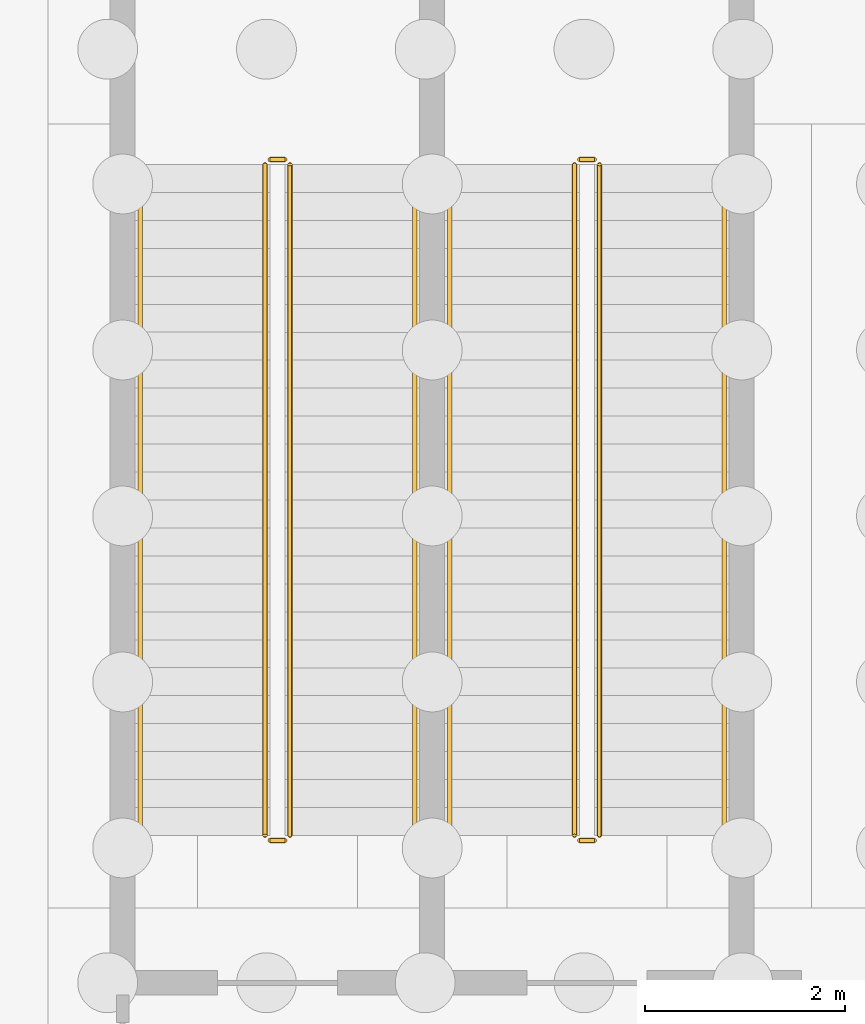
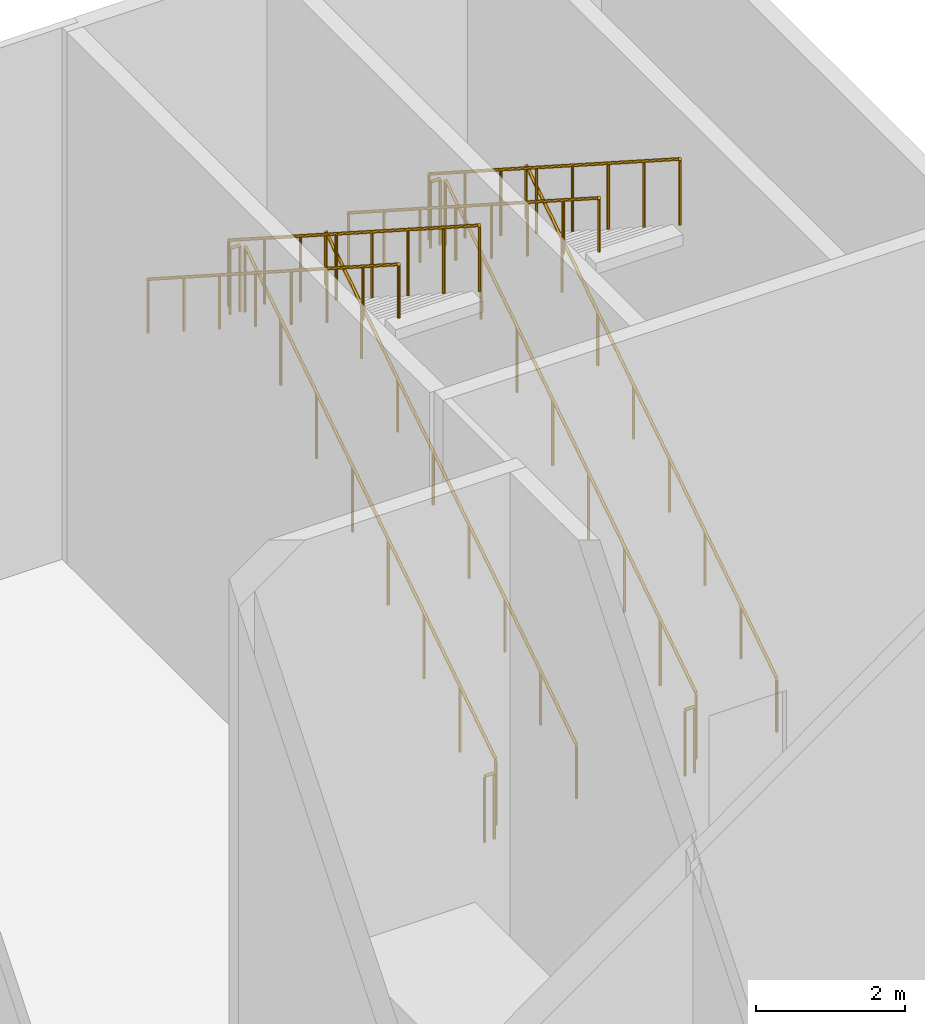
# One storey, part 66 of 72: 12 railings.
"""IFC4 building model written with IfcOpenShell, lengths in metres."""

from ifc_helpers import new_model, si_unit, direction, frame, origin, origin_2d, place, context, subcontext, project, spatial, circle, extrude, material, type_object, element, save


model = new_model("IFC4")

# Units and contexts
model_context = context("Model", 3, precision=1e-05, world=origin(), true_north=direction((0.0, 1.0)))
body_context = subcontext(model_context, "Body", "Model", "MODEL_VIEW")
ifc_project = project(units=[si_unit("LENGTHUNIT", "METRE"), si_unit("AREAUNIT", "SQUARE_METRE"), si_unit("VOLUMEUNIT", "CUBIC_METRE"), si_unit("PLANEANGLEUNIT", "RADIAN"), si_unit("MASSUNIT", "GRAM", prefix="KILO")], contexts=[model_context])

# Site, building, storey
site_placement = place(None, origin())
site = spatial("IfcSite", under=ifc_project, at=site_placement, CompositionType="ELEMENT")
building_placement = place(site_placement, origin())
building = spatial("IfcBuilding", under=site, at=building_placement, Name="Candeia Pilgrim Tower and Theatre", CompositionType="ELEMENT")
storey_placement = place(building_placement, origin())
storey = spatial("IfcBuildingStorey", under=building, at=storey_placement, Name="L00", CompositionType="ELEMENT", Elevation=0.0)

# Railings
ifc_material = material(Name="Steel S355", Category="steel")
railing_type_1 = type_object("IfcRailingType", Name="Guard 1100 steel balustrade", PredefinedType="GUARDRAIL", material=ifc_material)
railing_1_placement = place(storey_placement, frame((236.47509765625, 107.77490234375, 0.179931640625)))
element("IfcRailing", 1, at=railing_1_placement, inside=storey, type_object=railing_type_1, Name="L00 TS3 stair guard 1", PredefinedType="GUARDRAIL", context=body_context, shape_type="SweptSolid", body=[
    extrude(circle(Radius=0.02392578125, at=origin_2d()), frame((0.0, 0.0, 1.076171875), z_axis=(0.0, 0.841182446993, 0.540751413193), x_axis=(-1.0, 0.0, 0.0)), (0.0, 0.0, 1.0), 7.989013671875),
    extrude(circle(Radius=0.02099609375, at=origin_2d()), origin(), (0.0, 0.0, 1.0), 1.052001953125),
    extrude(circle(Radius=0.02099609375, at=origin_2d()), frame((0.0, 0.9599609375, 0.6171875)), (0.0, 0.0, 1.0), 1.052001953125),
    extrude(circle(Radius=0.02099609375, at=origin_2d()), frame((0.0, 1.920166015625, 1.234375)), (0.0, 0.0, 1.0), 1.052001953125),
    extrude(circle(Radius=0.02099609375, at=origin_2d()), frame((0.0, 2.880126953125, 1.8515625)), (0.0, 0.0, 1.0), 1.052001953125),
    extrude(circle(Radius=0.02099609375, at=origin_2d()), frame((0.0, 3.840087890625, 2.468505859375)), (0.0, 0.0, 1.0), 1.052001953125),
    extrude(circle(Radius=0.02099609375, at=origin_2d()), frame((0.0, 4.800048828125, 3.085693359375)), (0.0, 0.0, 1.0), 1.052001953125),
    extrude(circle(Radius=0.02099609375, at=origin_2d()), frame((0.0, 5.76025390625, 3.702880859375)), (0.0, 0.0, 1.0), 1.052001953125),
    extrude(circle(Radius=0.02099609375, at=origin_2d()), frame((0.0, 6.72021484375, 4.320068359375)), (0.0, 0.0, 1.0), 1.052001953125),
])
railing_2_placement = place(storey_placement, frame((236.425048828125, 114.544921875, 4.5)))
element("IfcRailing", 2, at=railing_2_placement, inside=storey, type_object=railing_type_1, Name="L00 TS3 stair guard 2", PredefinedType="GUARDRAIL", context=body_context, shape_type="SweptSolid", body=[
    extrude(circle(Radius=0.02392578125, at=origin_2d()), frame((0.0, 0.0, 1.076171875), z_axis=(-1.0, 0.0, 0.0), x_axis=(0.0, -1.0, 0.0)), (0.0, 0.0, 1.0), 0.150146484375),
    extrude(circle(Radius=0.02099609375, at=origin_2d()), origin(), (0.0, 0.0, 1.0), 1.052001953125),
    extrude(circle(Radius=0.02099609375, at=origin_2d()), frame((-0.150146484375, 0.0, 0.0)), (0.0, 0.0, 1.0), 1.052001953125),
])
railing_3_placement = place(storey_placement, frame((236.22509765625, 114.4951171875, 4.679931640625)))
element("IfcRailing", 3, at=railing_3_placement, inside=storey, type_object=railing_type_1, Name="L00 TS3 stair guard 3", PredefinedType="GUARDRAIL", context=body_context, shape_type="SweptSolid", body=[
    extrude(circle(Radius=0.02392578125, at=origin_2d()), frame((0.0, 0.0, 1.076171875), z_axis=(0.0, -0.841182446993, 0.540751413193), x_axis=(1.0, 0.0, 0.0)), (0.0, 0.0, 1.0), 7.989013671875),
    extrude(circle(Radius=0.02099609375, at=origin_2d()), origin(), (0.0, 0.0, 1.0), 1.052001953125),
    extrude(circle(Radius=0.02099609375, at=origin_2d()), frame((0.0, -0.9599609375, 0.6171875)), (0.0, 0.0, 1.0), 1.052001953125),
    extrude(circle(Radius=0.02099609375, at=origin_2d()), frame((0.0, -1.920166015625, 1.234375)), (0.0, 0.0, 1.0), 1.052001953125),
    extrude(circle(Radius=0.02099609375, at=origin_2d()), frame((0.0, -2.880126953125, 1.8515625)), (0.0, 0.0, 1.0), 1.052001953125),
    extrude(circle(Radius=0.02099609375, at=origin_2d()), frame((0.0, -3.840087890625, 2.468505859375)), (0.0, 0.0, 1.0), 1.052001953125),
    extrude(circle(Radius=0.02099609375, at=origin_2d()), frame((0.0, -4.800048828125, 3.085693359375)), (0.0, 0.0, 1.0), 1.052001953125),
    extrude(circle(Radius=0.02099609375, at=origin_2d()), frame((0.0, -5.76025390625, 3.702880859375)), (0.0, 0.0, 1.0), 1.052001953125),
    extrude(circle(Radius=0.02099609375, at=origin_2d()), frame((0.0, -6.72021484375, 4.320068359375)), (0.0, 0.0, 1.0), 1.052001953125),
])
railing_4_placement = place(storey_placement, frame((236.425048828125, 107.72509765625, 0.0)))
element("IfcRailing", 4, at=railing_4_placement, inside=storey, type_object=railing_type_1, Name="L00 TS3 stair guard 4", PredefinedType="GUARDRAIL", context=body_context, shape_type="SweptSolid", body=[
    extrude(circle(Radius=0.02392578125, at=origin_2d()), frame((0.0, 0.0, 1.076171875), z_axis=(-1.0, 0.0, 0.0), x_axis=(0.0, -1.0, 0.0)), (0.0, 0.0, 1.0), 0.150146484375),
    extrude(circle(Radius=0.02099609375, at=origin_2d()), origin(), (0.0, 0.0, 1.0), 1.052001953125),
    extrude(circle(Radius=0.02099609375, at=origin_2d()), frame((-0.150146484375, 0.0, 0.0)), (0.0, 0.0, 1.0), 1.052001953125),
])
railing_5_placement = place(storey_placement, frame((239.574951171875, 107.77490234375, 0.179931640625)))
element("IfcRailing", 5, at=railing_5_placement, inside=storey, type_object=railing_type_1, Name="L00 TS4 stair guard 1", PredefinedType="GUARDRAIL", context=body_context, shape_type="SweptSolid", body=[
    extrude(circle(Radius=0.02392578125, at=origin_2d()), frame((0.0, 0.0, 1.076171875), z_axis=(0.0, 0.841182446993, 0.540751413193), x_axis=(-1.0, 0.0, 0.0)), (0.0, 0.0, 1.0), 7.989013671875),
    extrude(circle(Radius=0.02099609375, at=origin_2d()), origin(), (0.0, 0.0, 1.0), 1.052001953125),
    extrude(circle(Radius=0.02099609375, at=origin_2d()), frame((0.0, 0.9599609375, 0.6171875)), (0.0, 0.0, 1.0), 1.052001953125),
    extrude(circle(Radius=0.02099609375, at=origin_2d()), frame((0.0, 1.920166015625, 1.234375)), (0.0, 0.0, 1.0), 1.052001953125),
    extrude(circle(Radius=0.02099609375, at=origin_2d()), frame((0.0, 2.880126953125, 1.8515625)), (0.0, 0.0, 1.0), 1.052001953125),
    extrude(circle(Radius=0.02099609375, at=origin_2d()), frame((0.0, 3.840087890625, 2.468505859375)), (0.0, 0.0, 1.0), 1.052001953125),
    extrude(circle(Radius=0.02099609375, at=origin_2d()), frame((0.0, 4.800048828125, 3.085693359375)), (0.0, 0.0, 1.0), 1.052001953125),
    extrude(circle(Radius=0.02099609375, at=origin_2d()), frame((0.0, 5.76025390625, 3.702880859375)), (0.0, 0.0, 1.0), 1.052001953125),
    extrude(circle(Radius=0.02099609375, at=origin_2d()), frame((0.0, 6.72021484375, 4.320068359375)), (0.0, 0.0, 1.0), 1.052001953125),
])
railing_6_placement = place(storey_placement, frame((239.52490234375, 114.544921875, 4.5)))
element("IfcRailing", 6, at=railing_6_placement, inside=storey, type_object=railing_type_1, Name="L00 TS4 stair guard 2", PredefinedType="GUARDRAIL", context=body_context, shape_type="SweptSolid", body=[
    extrude(circle(Radius=0.02392578125, at=origin_2d()), frame((0.0, 0.0, 1.076171875), z_axis=(-1.0, 0.0, 0.0), x_axis=(0.0, -1.0, 0.0)), (0.0, 0.0, 1.0), 0.14990234375),
    extrude(circle(Radius=0.02099609375, at=origin_2d()), origin(), (0.0, 0.0, 1.0), 1.052001953125),
    extrude(circle(Radius=0.02099609375, at=origin_2d()), frame((-0.14990234375, 0.0, 0.0)), (0.0, 0.0, 1.0), 1.052001953125),
])
railing_7_placement = place(storey_placement, frame((239.324951171875, 114.4951171875, 4.679931640625)))
element("IfcRailing", 7, at=railing_7_placement, inside=storey, type_object=railing_type_1, Name="L00 TS4 stair guard 3", PredefinedType="GUARDRAIL", context=body_context, shape_type="SweptSolid", body=[
    extrude(circle(Radius=0.02392578125, at=origin_2d()), frame((0.0, 0.0, 1.076171875), z_axis=(0.0, -0.841182446993, 0.540751413193), x_axis=(1.0, 0.0, 0.0)), (0.0, 0.0, 1.0), 7.989013671875),
    extrude(circle(Radius=0.02099609375, at=origin_2d()), origin(), (0.0, 0.0, 1.0), 1.052001953125),
    extrude(circle(Radius=0.02099609375, at=origin_2d()), frame((0.0, -0.9599609375, 0.6171875)), (0.0, 0.0, 1.0), 1.052001953125),
    extrude(circle(Radius=0.02099609375, at=origin_2d()), frame((0.0, -1.920166015625, 1.234375)), (0.0, 0.0, 1.0), 1.052001953125),
    extrude(circle(Radius=0.02099609375, at=origin_2d()), frame((0.0, -2.880126953125, 1.8515625)), (0.0, 0.0, 1.0), 1.052001953125),
    extrude(circle(Radius=0.02099609375, at=origin_2d()), frame((0.0, -3.840087890625, 2.468505859375)), (0.0, 0.0, 1.0), 1.052001953125),
    extrude(circle(Radius=0.02099609375, at=origin_2d()), frame((0.0, -4.800048828125, 3.085693359375)), (0.0, 0.0, 1.0), 1.052001953125),
    extrude(circle(Radius=0.02099609375, at=origin_2d()), frame((0.0, -5.76025390625, 3.702880859375)), (0.0, 0.0, 1.0), 1.052001953125),
    extrude(circle(Radius=0.02099609375, at=origin_2d()), frame((0.0, -6.72021484375, 4.320068359375)), (0.0, 0.0, 1.0), 1.052001953125),
])
railing_8_placement = place(storey_placement, frame((239.52490234375, 107.72509765625, 0.0)))
element("IfcRailing", 8, at=railing_8_placement, inside=storey, type_object=railing_type_1, Name="L00 TS4 stair guard 4", PredefinedType="GUARDRAIL", context=body_context, shape_type="SweptSolid", body=[
    extrude(circle(Radius=0.02392578125, at=origin_2d()), frame((0.0, 0.0, 1.076171875), z_axis=(-1.0, 0.0, 0.0), x_axis=(0.0, -1.0, 0.0)), (0.0, 0.0, 1.0), 0.14990234375),
    extrude(circle(Radius=0.02099609375, at=origin_2d()), origin(), (0.0, 0.0, 1.0), 1.052001953125),
    extrude(circle(Radius=0.02099609375, at=origin_2d()), frame((-0.14990234375, 0.0, 0.0)), (0.0, 0.0, 1.0), 1.052001953125),
])
railing_type_2 = type_object("IfcRailingType", Name="Handrail 900 steel", PredefinedType="HANDRAIL", material=ifc_material)
railing_9_placement = place(storey_placement, frame((237.72509765625, 107.77490234375, 0.179931640625)))
element("IfcRailing", 9, at=railing_9_placement, inside=storey, type_object=railing_type_2, Name="L00 TS3 stair handrail 1", PredefinedType="HANDRAIL", context=body_context, shape_type="SweptSolid", body=[
    extrude(circle(Radius=0.02392578125, at=origin_2d()), frame((0.0, 0.0, 0.8759765625), z_axis=(0.0, 0.841182446993, 0.540751413193), x_axis=(-1.0, 0.0, 0.0)), (0.0, 0.0, 1.0), 7.989013671875),
    extrude(circle(Radius=0.02099609375, at=origin_2d()), origin(), (0.0, 0.0, 1.0), 0.851806640625),
    extrude(circle(Radius=0.02099609375, at=origin_2d()), frame((0.0, 0.9599609375, 0.6171875)), (0.0, 0.0, 1.0), 0.851806640625),
    extrude(circle(Radius=0.02099609375, at=origin_2d()), frame((0.0, 1.920166015625, 1.234375)), (0.0, 0.0, 1.0), 0.851806640625),
    extrude(circle(Radius=0.02099609375, at=origin_2d()), frame((0.0, 2.880126953125, 1.8515625)), (0.0, 0.0, 1.0), 0.851806640625),
    extrude(circle(Radius=0.02099609375, at=origin_2d()), frame((0.0, 3.840087890625, 2.468505859375)), (0.0, 0.0, 1.0), 0.851806640625),
    extrude(circle(Radius=0.02099609375, at=origin_2d()), frame((0.0, 4.800048828125, 3.085693359375)), (0.0, 0.0, 1.0), 0.851806640625),
    extrude(circle(Radius=0.02099609375, at=origin_2d()), frame((0.0, 5.76025390625, 3.702880859375)), (0.0, 0.0, 1.0), 0.851806640625),
    extrude(circle(Radius=0.02099609375, at=origin_2d()), frame((0.0, 6.72021484375, 4.320068359375)), (0.0, 0.0, 1.0), 0.851806640625),
])
railing_10_placement = place(storey_placement, frame((234.97509765625, 114.4951171875, 4.679931640625)))
element("IfcRailing", 10, at=railing_10_placement, inside=storey, type_object=railing_type_2, Name="L00 TS3 stair handrail 2", PredefinedType="HANDRAIL", context=body_context, shape_type="SweptSolid", body=[
    extrude(circle(Radius=0.02392578125, at=origin_2d()), frame((0.0, 0.0, 0.8759765625), z_axis=(0.0, -0.841182446993, 0.540751413193), x_axis=(1.0, 0.0, 0.0)), (0.0, 0.0, 1.0), 7.989013671875),
    extrude(circle(Radius=0.02099609375, at=origin_2d()), origin(), (0.0, 0.0, 1.0), 0.851806640625),
    extrude(circle(Radius=0.02099609375, at=origin_2d()), frame((0.0, -0.9599609375, 0.6171875)), (0.0, 0.0, 1.0), 0.851806640625),
    extrude(circle(Radius=0.02099609375, at=origin_2d()), frame((0.0, -1.920166015625, 1.234375)), (0.0, 0.0, 1.0), 0.851806640625),
    extrude(circle(Radius=0.02099609375, at=origin_2d()), frame((0.0, -2.880126953125, 1.8515625)), (0.0, 0.0, 1.0), 0.851806640625),
    extrude(circle(Radius=0.02099609375, at=origin_2d()), frame((0.0, -3.840087890625, 2.468505859375)), (0.0, 0.0, 1.0), 0.851806640625),
    extrude(circle(Radius=0.02099609375, at=origin_2d()), frame((0.0, -4.800048828125, 3.085693359375)), (0.0, 0.0, 1.0), 0.851806640625),
    extrude(circle(Radius=0.02099609375, at=origin_2d()), frame((0.0, -5.76025390625, 3.702880859375)), (0.0, 0.0, 1.0), 0.851806640625),
    extrude(circle(Radius=0.02099609375, at=origin_2d()), frame((0.0, -6.72021484375, 4.320068359375)), (0.0, 0.0, 1.0), 0.851806640625),
])
railing_11_placement = place(storey_placement, frame((240.824951171875, 107.77490234375, 0.179931640625)))
element("IfcRailing", 11, at=railing_11_placement, inside=storey, type_object=railing_type_2, Name="L00 TS4 stair handrail 1", PredefinedType="HANDRAIL", context=body_context, shape_type="SweptSolid", body=[
    extrude(circle(Radius=0.02392578125, at=origin_2d()), frame((0.0, 0.0, 0.8759765625), z_axis=(0.0, 0.841182446993, 0.540751413193), x_axis=(-1.0, 0.0, 0.0)), (0.0, 0.0, 1.0), 7.989013671875),
    extrude(circle(Radius=0.02099609375, at=origin_2d()), origin(), (0.0, 0.0, 1.0), 0.851806640625),
    extrude(circle(Radius=0.02099609375, at=origin_2d()), frame((0.0, 0.9599609375, 0.6171875)), (0.0, 0.0, 1.0), 0.851806640625),
    extrude(circle(Radius=0.02099609375, at=origin_2d()), frame((0.0, 1.920166015625, 1.234375)), (0.0, 0.0, 1.0), 0.851806640625),
    extrude(circle(Radius=0.02099609375, at=origin_2d()), frame((0.0, 2.880126953125, 1.8515625)), (0.0, 0.0, 1.0), 0.851806640625),
    extrude(circle(Radius=0.02099609375, at=origin_2d()), frame((0.0, 3.840087890625, 2.468505859375)), (0.0, 0.0, 1.0), 0.851806640625),
    extrude(circle(Radius=0.02099609375, at=origin_2d()), frame((0.0, 4.800048828125, 3.085693359375)), (0.0, 0.0, 1.0), 0.851806640625),
    extrude(circle(Radius=0.02099609375, at=origin_2d()), frame((0.0, 5.76025390625, 3.702880859375)), (0.0, 0.0, 1.0), 0.851806640625),
    extrude(circle(Radius=0.02099609375, at=origin_2d()), frame((0.0, 6.72021484375, 4.320068359375)), (0.0, 0.0, 1.0), 0.851806640625),
])
railing_12_placement = place(storey_placement, frame((238.074951171875, 114.4951171875, 4.679931640625)))
element("IfcRailing", 12, at=railing_12_placement, inside=storey, type_object=railing_type_2, Name="L00 TS4 stair handrail 2", PredefinedType="HANDRAIL", context=body_context, shape_type="SweptSolid", body=[
    extrude(circle(Radius=0.02392578125, at=origin_2d()), frame((0.0, 0.0, 0.8759765625), z_axis=(0.0, -0.841182446993, 0.540751413193), x_axis=(1.0, 0.0, 0.0)), (0.0, 0.0, 1.0), 7.989013671875),
    extrude(circle(Radius=0.02099609375, at=origin_2d()), origin(), (0.0, 0.0, 1.0), 0.851806640625),
    extrude(circle(Radius=0.02099609375, at=origin_2d()), frame((0.0, -0.9599609375, 0.6171875)), (0.0, 0.0, 1.0), 0.851806640625),
    extrude(circle(Radius=0.02099609375, at=origin_2d()), frame((0.0, -1.920166015625, 1.234375)), (0.0, 0.0, 1.0), 0.851806640625),
    extrude(circle(Radius=0.02099609375, at=origin_2d()), frame((0.0, -2.880126953125, 1.8515625)), (0.0, 0.0, 1.0), 0.851806640625),
    extrude(circle(Radius=0.02099609375, at=origin_2d()), frame((0.0, -3.840087890625, 2.468505859375)), (0.0, 0.0, 1.0), 0.851806640625),
    extrude(circle(Radius=0.02099609375, at=origin_2d()), frame((0.0, -4.800048828125, 3.085693359375)), (0.0, 0.0, 1.0), 0.851806640625),
    extrude(circle(Radius=0.02099609375, at=origin_2d()), frame((0.0, -5.76025390625, 3.702880859375)), (0.0, 0.0, 1.0), 0.851806640625),
    extrude(circle(Radius=0.02099609375, at=origin_2d()), frame((0.0, -6.72021484375, 4.320068359375)), (0.0, 0.0, 1.0), 0.851806640625),
])

save(model, "model.ifc")
